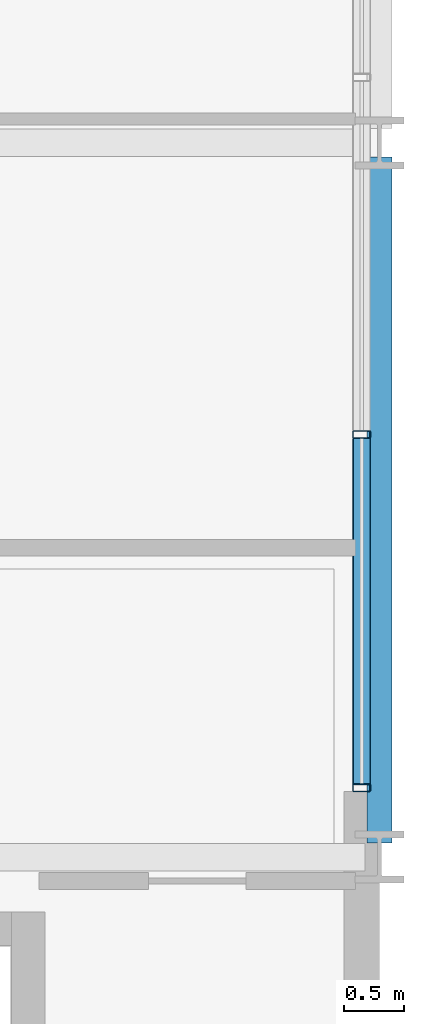
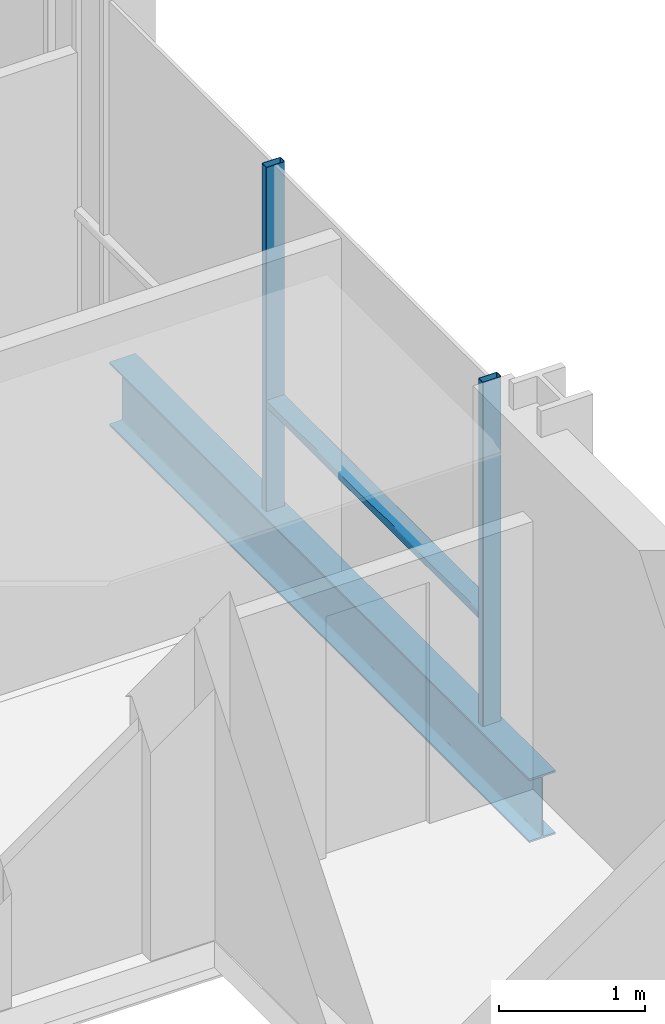
# One storey, part 15 of 40: 3 members, 1 beam, 1 element without a shape of its own.
"""IFC4 building model written with IfcOpenShell, lengths in metres."""

from ifc_helpers import new_model, si_unit, direction, frame, origin, origin_2d, place, context, subcontext, project, spatial, hollow_rectangle, i_section, extrude, material, layer, layer_set, material_profile, profile_set, type_object, element, aggregate, save


model = new_model("IFC4")

# Units and contexts
model_context = context("Model", 3, precision=1e-05, world=origin(), true_north=direction((0.0, 1.0)))
body_context = subcontext(model_context, "Body", "Model", "MODEL_VIEW")
ifc_project = project(units=[si_unit("LENGTHUNIT", "METRE"), si_unit("AREAUNIT", "SQUARE_METRE"), si_unit("VOLUMEUNIT", "CUBIC_METRE"), si_unit("PLANEANGLEUNIT", "RADIAN"), si_unit("MASSUNIT", "GRAM", prefix="KILO")], contexts=[model_context])

# Site, building, storey
site_placement = place(None, origin())
site = spatial("IfcSite", under=ifc_project, at=site_placement, CompositionType="ELEMENT")
building_placement = place(site_placement, origin())
building = spatial("IfcBuilding", under=site, at=building_placement, Name="Brevholm Reach", CompositionType="ELEMENT")
storey_placement = place(building_placement, frame((0.0, 0.0, 125.199951171875)))
storey = spatial("IfcBuildingStorey", under=building, at=storey_placement, Name="L37", CompositionType="ELEMENT", Elevation=125.199951171875)

# Beam
ifc_material_1 = material(Name="Structural Steel S355J2", Category="steel")
ifc_material_profile_1 = material_profile(ifc_material_1, i_section(OverallWidth=0.209228515625, OverallDepth=0.533203125, WebThickness=0.010009765625, FlangeThickness=0.015625, FilletRadius=0.0126953125, at=origin_2d()), Name="UKB 533x210x92")
ifc_profile_set_1 = profile_set([ifc_material_profile_1], Name="Structural Steel S355J2")
beam_type = type_object("IfcBeamType", Name="BM-SP533", PredefinedType="SPANDREL", material=ifc_profile_set_1)
beam_placement = place(storey_placement, frame((60.0, 10.1201171875, -0.486572265625), z_axis=(0.0, 1.0, 0.0), x_axis=(-1.0, 0.0, 0.0)))
element("IfcBeam", 1, at=beam_placement, inside=storey, type_object=beam_type, Name="L37 SP-02 Framing Beam", PredefinedType="SPANDREL", context=body_context, shape_type="SweptSolid", body=[
    extrude(i_section(OverallWidth=0.209228515625, OverallDepth=0.533203125, WebThickness=0.010009765625, FlangeThickness=0.015625, FilletRadius=0.0126953125, at=origin_2d()), origin(), (0.0, 0.0, 1.0), 5.759765625),
])

# Curtain wall, members
ifc_material_2 = material(Name="Dark Anodised Aluminium 6063-T6 and Solar-Control Glass", Category="aluminium")
ifc_layer = layer(ifc_material_2, 0.14990234375)
ifc_layer_set = layer_set([ifc_layer], Name="Dark Anodised Aluminium 6063-T6 and Solar-Control Glass")
curtain_wall_type = type_object("IfcCurtainWallType", Name="CW-01", PredefinedType="NOTDEFINED", material=ifc_layer_set)
curtain_wall_placement = place(storey_placement, origin())
curtain_wall = element("IfcCurtainWall", 2, at=curtain_wall_placement, inside=storey, type_object=curtain_wall_type, Name="L37 Curtain Wall CW-01", PredefinedType="NOTDEFINED")
ifc_material_3 = material(Name="Dark Anodised Aluminium 6063-T6", Category="aluminium")
ifc_material_profile_2 = material_profile(ifc_material_3, hollow_rectangle(XDim=0.06494140625, YDim=0.14990234375, WallThickness=0.0048828125, InnerFilletRadius=0.0048828125, OuterFilletRadius=0.010009765625, at=origin_2d()), Name="RHS 150x65x5")
ifc_profile_set_2 = profile_set([ifc_material_profile_2], Name="Dark Anodised Aluminium 6063-T6")
member_type_1 = type_object("IfcMemberType", Name="CWM-150", PredefinedType="MULLION", material=ifc_profile_set_2)
member_1_placement = place(storey_placement, frame((59.85009765625, 10.58251953125, 0.0), z_axis=(0.0, 0.0, 1.0), x_axis=(0.0, 1.0, 0.0)))
member_1 = element("IfcMember", 3, at=member_1_placement, type_object=member_type_1, Name="CM-150 Mullion 1", PredefinedType="MULLION", context=body_context, shape_type="SweptSolid", body=[
    extrude(hollow_rectangle(XDim=0.06494140625, YDim=0.14990234375, WallThickness=0.0048828125, InnerFilletRadius=0.0048828125, OuterFilletRadius=0.010009765625, at=origin_2d()), origin(), (0.0, 0.0, 1.0), 2.880126953125),
])
member_2_placement = place(storey_placement, frame((59.85009765625, 13.550048828125, 0.0), z_axis=(0.0, 0.0, 1.0), x_axis=(0.0, 1.0, 0.0)))
member_2 = element("IfcMember", 4, at=member_2_placement, type_object=member_type_1, Name="CM-150 Mullion 2", PredefinedType="MULLION", context=body_context, shape_type="SweptSolid", body=[
    extrude(hollow_rectangle(XDim=0.06494140625, YDim=0.14990234375, WallThickness=0.0048828125, InnerFilletRadius=0.0048828125, OuterFilletRadius=0.010009765625, at=origin_2d()), origin(), (0.0, 0.0, 1.0), 2.880126953125),
])
ifc_material_4 = material(Name="Dark Anodised Aluminium 6063-T6", Category="aluminium")
ifc_material_profile_3 = material_profile(ifc_material_4, hollow_rectangle(XDim=0.06494140625, YDim=0.14990234375, WallThickness=0.0048828125, InnerFilletRadius=0.0048828125, OuterFilletRadius=0.010009765625, at=origin_2d()), Name="RHS 150x65x5")
ifc_profile_set_3 = profile_set([ifc_material_profile_3], Name="Dark Anodised Aluminium 6063-T6")
member_type_2 = type_object("IfcMemberType", Name="CWT-150", PredefinedType="NOTDEFINED", material=ifc_profile_set_3)
member_3_placement = place(storey_placement, frame((59.85009765625, 10.614990234375, 0.900146484375), z_axis=(0.0, 1.0, 0.0), x_axis=(0.0, 0.0, 1.0)))
member_3 = element("IfcMember", 5, at=member_3_placement, type_object=member_type_2, Name="CT-150 Transom 1.1", ObjectType="TRANSOM", PredefinedType="USERDEFINED", context=body_context, shape_type="SweptSolid", body=[
    extrude(hollow_rectangle(XDim=0.06494140625, YDim=0.14990234375, WallThickness=0.0048828125, InnerFilletRadius=0.0048828125, OuterFilletRadius=0.010009765625, at=origin_2d()), origin(), (0.0, 0.0, 1.0), 2.902587890625),
])
aggregate(curtain_wall, [member_1, member_2, member_3])

save(model, "model.ifc")
